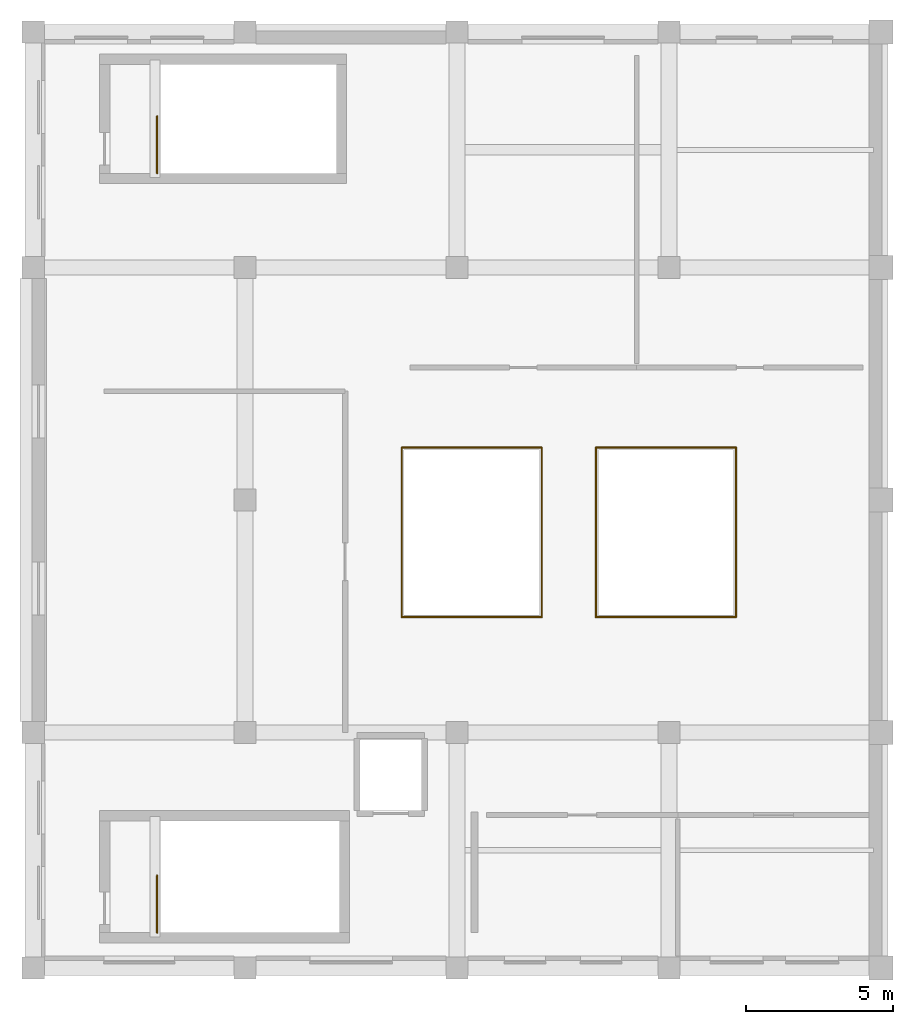
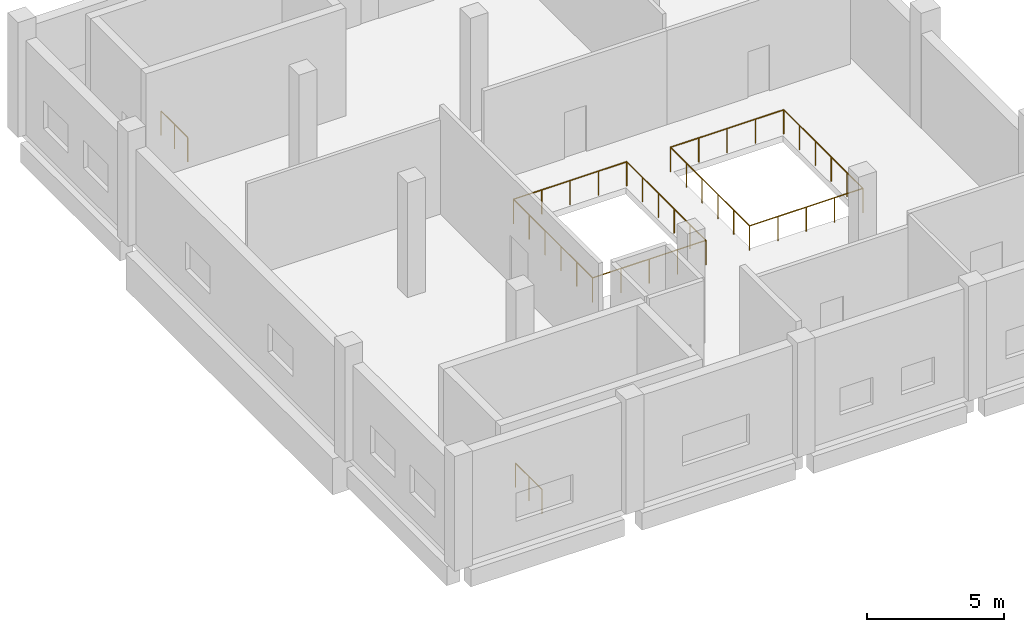
# One storey, part 4 of 4: 10 railings.
"""IFC4 building model written with IfcOpenShell, lengths in metres."""

from ifc_helpers import new_model, si_unit, direction, frame, origin, origin_2d, place, context, subcontext, project, spatial, circle, extrude, material, type_object, element, save


model = new_model("IFC4")

# Units and contexts
model_context = context("Model", 3, precision=1e-05, world=origin(), true_north=direction((0.0, 1.0)))
body_context = subcontext(model_context, "Body", "Model", "MODEL_VIEW")
ifc_project = project(units=[si_unit("LENGTHUNIT", "METRE"), si_unit("AREAUNIT", "SQUARE_METRE"), si_unit("VOLUMEUNIT", "CUBIC_METRE"), si_unit("PLANEANGLEUNIT", "RADIAN"), si_unit("MASSUNIT", "GRAM", prefix="KILO")], contexts=[model_context])

# Site, building, storey
site_placement = place(None, origin())
site = spatial("IfcSite", under=ifc_project, at=site_placement, CompositionType="ELEMENT")
building_placement = place(site_placement, origin())
building = spatial("IfcBuilding", under=site, at=building_placement, Name="Kelarvand Opera House", CompositionType="ELEMENT")
storey_placement = place(building_placement, frame((0.0, 0.0, 28.5)))
storey = spatial("IfcBuildingStorey", under=building, at=storey_placement, Name="L06", CompositionType="ELEMENT", Elevation=28.5)

# Railings
ifc_material = material(Name="Powder-coated Steel S355", Category="steel")
railing_type = type_object("IfcRailingType", Name="Painted Steel Stair and Void Guardrail 1100", PredefinedType="GUARDRAIL", material=ifc_material)
for number, where, name in (
    (1, (63.409912109375, 47.800048828125, 0.0), "L06 ST-02 top well guard 1"),
    (2, (63.409912109375, 73.60009765625, 0.0), "L06 ST-03 top well guard 1"),
):
    element("IfcRailing", number, at=place(storey_placement, frame(where)), inside=storey, type_object=railing_type, Name=name, PredefinedType="GUARDRAIL", context=body_context, shape_type="SweptSolid", body=[
        extrude(circle(Radius=0.02392578125, at=origin_2d()), frame((0.0, 0.0, 1.076171875), z_axis=(0.0, 1.0, 0.0), x_axis=(-1.0, 0.0, 0.0)), (0.0, 0.0, 1.0), 1.93994140625),
        extrude(circle(Radius=0.02099609375, at=origin_2d()), origin(), (0.0, 0.0, 1.0), 1.052001953125),
        extrude(circle(Radius=0.02099609375, at=origin_2d()), frame((0.0, 0.969970703125, 0.0)), (0.0, 0.0, 1.0), 1.052001953125),
        extrude(circle(Radius=0.02099609375, at=origin_2d()), frame((0.0, 1.93994140625, 0.0)), (0.0, 0.0, 1.0), 1.052001953125),
    ])
railing_1_placement = place(storey_placement, frame((71.719970703125, 64.280029296875, 0.0)))
element("IfcRailing", 3, at=railing_1_placement, inside=storey, type_object=railing_type, Name="V2 L06 Guardrail 113", PredefinedType="GUARDRAIL", context=body_context, shape_type="SweptSolid", body=[
    extrude(circle(Radius=0.02392578125, at=origin_2d()), frame((0.0, 0.0, 1.076171875), z_axis=(1.0, 0.0, 0.0), x_axis=(0.0, 1.0, 0.0)), (0.0, 0.0, 1.0), 4.760009765625),
    extrude(circle(Radius=0.02099609375, at=origin_2d()), origin(), (0.0, 0.0, 1.0), 1.052001953125),
    extrude(circle(Radius=0.02099609375, at=origin_2d()), frame((1.18994140625, 0.0, 0.0)), (0.0, 0.0, 1.0), 1.052001953125),
    extrude(circle(Radius=0.02099609375, at=origin_2d()), frame((2.3798828125, 0.0, 0.0)), (0.0, 0.0, 1.0), 1.052001953125),
    extrude(circle(Radius=0.02099609375, at=origin_2d()), frame((3.570068359375, 0.0, 0.0)), (0.0, 0.0, 1.0), 1.052001953125),
    extrude(circle(Radius=0.02099609375, at=origin_2d()), frame((4.760009765625, 0.0, 0.0)), (0.0, 0.0, 1.0), 1.052001953125),
])
railing_2_placement = place(storey_placement, frame((76.47998046875, 64.280029296875, 0.0)))
element("IfcRailing", 4, at=railing_2_placement, inside=storey, type_object=railing_type, Name="V2 L06 Guardrail 114", PredefinedType="GUARDRAIL", context=body_context, shape_type="SweptSolid", body=[
    extrude(circle(Radius=0.02392578125, at=origin_2d()), frame((0.0, 0.0, 1.076171875), z_axis=(0.0, -1.0, 0.0), x_axis=(1.0, 0.0, 0.0)), (0.0, 0.0, 1.0), 5.760009765625),
    extrude(circle(Radius=0.02099609375, at=origin_2d()), origin(), (0.0, 0.0, 1.0), 1.052001953125),
    extrude(circle(Radius=0.02099609375, at=origin_2d()), frame((0.0, -1.152099609375, 0.0)), (0.0, 0.0, 1.0), 1.052001953125),
    extrude(circle(Radius=0.02099609375, at=origin_2d()), frame((0.0, -2.303955078125, 0.0)), (0.0, 0.0, 1.0), 1.052001953125),
    extrude(circle(Radius=0.02099609375, at=origin_2d()), frame((0.0, -3.4560546875, 0.0)), (0.0, 0.0, 1.0), 1.052001953125),
    extrude(circle(Radius=0.02099609375, at=origin_2d()), frame((0.0, -4.60791015625, 0.0)), (0.0, 0.0, 1.0), 1.052001953125),
    extrude(circle(Radius=0.02099609375, at=origin_2d()), frame((0.0, -5.760009765625, 0.0)), (0.0, 0.0, 1.0), 1.052001953125),
])
railing_3_placement = place(storey_placement, frame((76.47998046875, 58.52001953125, 0.0)))
element("IfcRailing", 5, at=railing_3_placement, inside=storey, type_object=railing_type, Name="V2 L06 Guardrail 115", PredefinedType="GUARDRAIL", context=body_context, shape_type="SweptSolid", body=[
    extrude(circle(Radius=0.02392578125, at=origin_2d()), frame((0.0, 0.0, 1.076171875), z_axis=(-1.0, 0.0, 0.0), x_axis=(0.0, -1.0, 0.0)), (0.0, 0.0, 1.0), 4.760009765625),
    extrude(circle(Radius=0.02099609375, at=origin_2d()), origin(), (0.0, 0.0, 1.0), 1.052001953125),
    extrude(circle(Radius=0.02099609375, at=origin_2d()), frame((-1.18994140625, 0.0, 0.0)), (0.0, 0.0, 1.0), 1.052001953125),
    extrude(circle(Radius=0.02099609375, at=origin_2d()), frame((-2.3798828125, 0.0, 0.0)), (0.0, 0.0, 1.0), 1.052001953125),
    extrude(circle(Radius=0.02099609375, at=origin_2d()), frame((-3.570068359375, 0.0, 0.0)), (0.0, 0.0, 1.0), 1.052001953125),
    extrude(circle(Radius=0.02099609375, at=origin_2d()), frame((-4.760009765625, 0.0, 0.0)), (0.0, 0.0, 1.0), 1.052001953125),
])
railing_4_placement = place(storey_placement, frame((71.719970703125, 58.52001953125, 0.0)))
element("IfcRailing", 6, at=railing_4_placement, inside=storey, type_object=railing_type, Name="V2 L06 Guardrail 116", PredefinedType="GUARDRAIL", context=body_context, shape_type="SweptSolid", body=[
    extrude(circle(Radius=0.02392578125, at=origin_2d()), frame((0.0, 0.0, 1.076171875), z_axis=(0.0, 1.0, 0.0), x_axis=(-1.0, 0.0, 0.0)), (0.0, 0.0, 1.0), 5.760009765625),
    extrude(circle(Radius=0.02099609375, at=origin_2d()), origin(), (0.0, 0.0, 1.0), 1.052001953125),
    extrude(circle(Radius=0.02099609375, at=origin_2d()), frame((0.0, 1.152099609375, 0.0)), (0.0, 0.0, 1.0), 1.052001953125),
    extrude(circle(Radius=0.02099609375, at=origin_2d()), frame((0.0, 2.303955078125, 0.0)), (0.0, 0.0, 1.0), 1.052001953125),
    extrude(circle(Radius=0.02099609375, at=origin_2d()), frame((0.0, 3.4560546875, 0.0)), (0.0, 0.0, 1.0), 1.052001953125),
    extrude(circle(Radius=0.02099609375, at=origin_2d()), frame((0.0, 4.60791015625, 0.0)), (0.0, 0.0, 1.0), 1.052001953125),
    extrude(circle(Radius=0.02099609375, at=origin_2d()), frame((0.0, 5.760009765625, 0.0)), (0.0, 0.0, 1.0), 1.052001953125),
])
railing_5_placement = place(storey_placement, frame((83.080078125, 64.280029296875, 0.0)))
element("IfcRailing", 7, at=railing_5_placement, inside=storey, type_object=railing_type, Name="V2 L06 Guardrail 117", PredefinedType="GUARDRAIL", context=body_context, shape_type="SweptSolid", body=[
    extrude(circle(Radius=0.02392578125, at=origin_2d()), frame((0.0, 0.0, 1.076171875), z_axis=(0.0, -1.0, 0.0), x_axis=(1.0, 0.0, 0.0)), (0.0, 0.0, 1.0), 5.760009765625),
    extrude(circle(Radius=0.02099609375, at=origin_2d()), origin(), (0.0, 0.0, 1.0), 1.052001953125),
    extrude(circle(Radius=0.02099609375, at=origin_2d()), frame((0.0, -1.152099609375, 0.0)), (0.0, 0.0, 1.0), 1.052001953125),
    extrude(circle(Radius=0.02099609375, at=origin_2d()), frame((0.0, -2.303955078125, 0.0)), (0.0, 0.0, 1.0), 1.052001953125),
    extrude(circle(Radius=0.02099609375, at=origin_2d()), frame((0.0, -3.4560546875, 0.0)), (0.0, 0.0, 1.0), 1.052001953125),
    extrude(circle(Radius=0.02099609375, at=origin_2d()), frame((0.0, -4.60791015625, 0.0)), (0.0, 0.0, 1.0), 1.052001953125),
    extrude(circle(Radius=0.02099609375, at=origin_2d()), frame((0.0, -5.760009765625, 0.0)), (0.0, 0.0, 1.0), 1.052001953125),
])
railing_6_placement = place(storey_placement, frame((83.080078125, 58.52001953125, 0.0)))
element("IfcRailing", 8, at=railing_6_placement, inside=storey, type_object=railing_type, Name="V2 L06 Guardrail 118", PredefinedType="GUARDRAIL", context=body_context, shape_type="SweptSolid", body=[
    extrude(circle(Radius=0.02392578125, at=origin_2d()), frame((0.0, 0.0, 1.076171875), z_axis=(-1.0, 0.0, 0.0), x_axis=(0.0, -1.0, 0.0)), (0.0, 0.0, 1.0), 4.760009765625),
    extrude(circle(Radius=0.02099609375, at=origin_2d()), origin(), (0.0, 0.0, 1.0), 1.052001953125),
    extrude(circle(Radius=0.02099609375, at=origin_2d()), frame((-1.18994140625, 0.0, 0.0)), (0.0, 0.0, 1.0), 1.052001953125),
    extrude(circle(Radius=0.02099609375, at=origin_2d()), frame((-2.3798828125, 0.0, 0.0)), (0.0, 0.0, 1.0), 1.052001953125),
    extrude(circle(Radius=0.02099609375, at=origin_2d()), frame((-3.570068359375, 0.0, 0.0)), (0.0, 0.0, 1.0), 1.052001953125),
    extrude(circle(Radius=0.02099609375, at=origin_2d()), frame((-4.760009765625, 0.0, 0.0)), (0.0, 0.0, 1.0), 1.052001953125),
])
railing_7_placement = place(storey_placement, frame((78.320068359375, 58.52001953125, 0.0)))
element("IfcRailing", 9, at=railing_7_placement, inside=storey, type_object=railing_type, Name="V2 L06 Guardrail 119", PredefinedType="GUARDRAIL", context=body_context, shape_type="SweptSolid", body=[
    extrude(circle(Radius=0.02392578125, at=origin_2d()), frame((0.0, 0.0, 1.076171875), z_axis=(0.0, 1.0, 0.0), x_axis=(-1.0, 0.0, 0.0)), (0.0, 0.0, 1.0), 5.760009765625),
    extrude(circle(Radius=0.02099609375, at=origin_2d()), origin(), (0.0, 0.0, 1.0), 1.052001953125),
    extrude(circle(Radius=0.02099609375, at=origin_2d()), frame((0.0, 1.152099609375, 0.0)), (0.0, 0.0, 1.0), 1.052001953125),
    extrude(circle(Radius=0.02099609375, at=origin_2d()), frame((0.0, 2.303955078125, 0.0)), (0.0, 0.0, 1.0), 1.052001953125),
    extrude(circle(Radius=0.02099609375, at=origin_2d()), frame((0.0, 3.4560546875, 0.0)), (0.0, 0.0, 1.0), 1.052001953125),
    extrude(circle(Radius=0.02099609375, at=origin_2d()), frame((0.0, 4.60791015625, 0.0)), (0.0, 0.0, 1.0), 1.052001953125),
    extrude(circle(Radius=0.02099609375, at=origin_2d()), frame((0.0, 5.760009765625, 0.0)), (0.0, 0.0, 1.0), 1.052001953125),
])
railing_8_placement = place(storey_placement, frame((78.320068359375, 64.280029296875, 0.0)))
element("IfcRailing", 10, at=railing_8_placement, inside=storey, type_object=railing_type, Name="V2 L06 Guardrail 120", PredefinedType="GUARDRAIL", context=body_context, shape_type="SweptSolid", body=[
    extrude(circle(Radius=0.02392578125, at=origin_2d()), frame((0.0, 0.0, 1.076171875), z_axis=(1.0, 0.0, 0.0), x_axis=(0.0, 1.0, 0.0)), (0.0, 0.0, 1.0), 4.760009765625),
    extrude(circle(Radius=0.02099609375, at=origin_2d()), origin(), (0.0, 0.0, 1.0), 1.052001953125),
    extrude(circle(Radius=0.02099609375, at=origin_2d()), frame((1.18994140625, 0.0, 0.0)), (0.0, 0.0, 1.0), 1.052001953125),
    extrude(circle(Radius=0.02099609375, at=origin_2d()), frame((2.3798828125, 0.0, 0.0)), (0.0, 0.0, 1.0), 1.052001953125),
    extrude(circle(Radius=0.02099609375, at=origin_2d()), frame((3.570068359375, 0.0, 0.0)), (0.0, 0.0, 1.0), 1.052001953125),
    extrude(circle(Radius=0.02099609375, at=origin_2d()), frame((4.760009765625, 0.0, 0.0)), (0.0, 0.0, 1.0), 1.052001953125),
])

save(model, "model.ifc")
